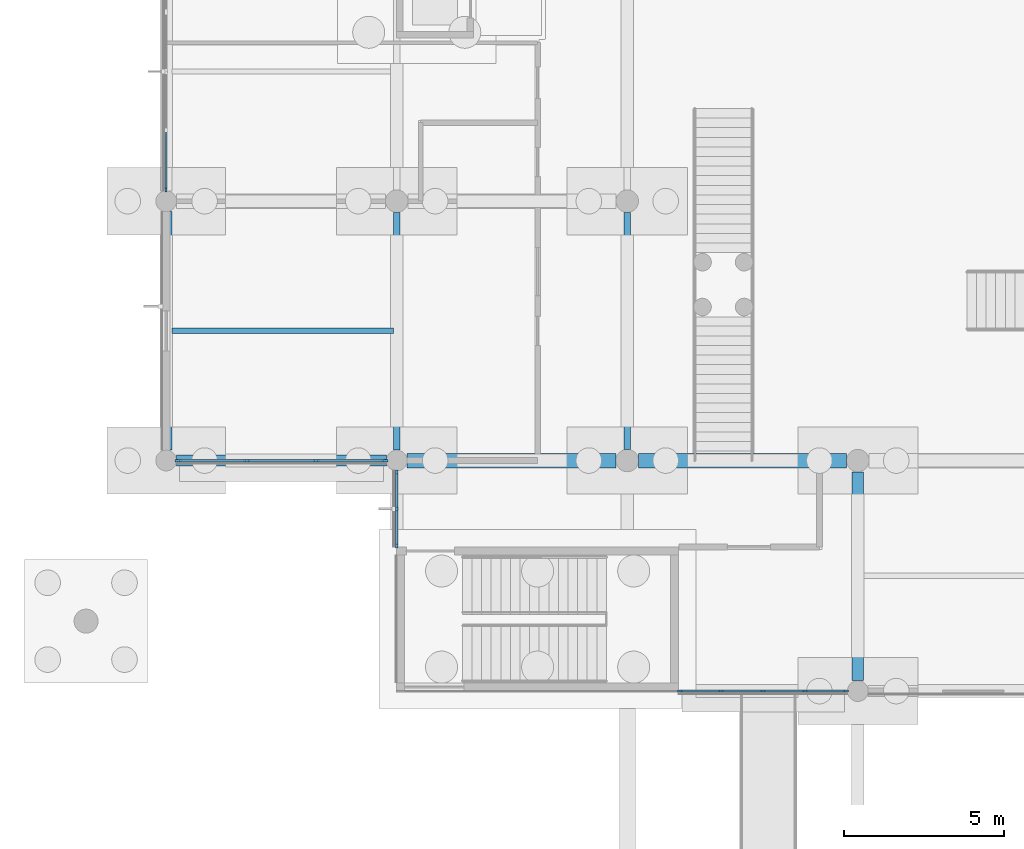
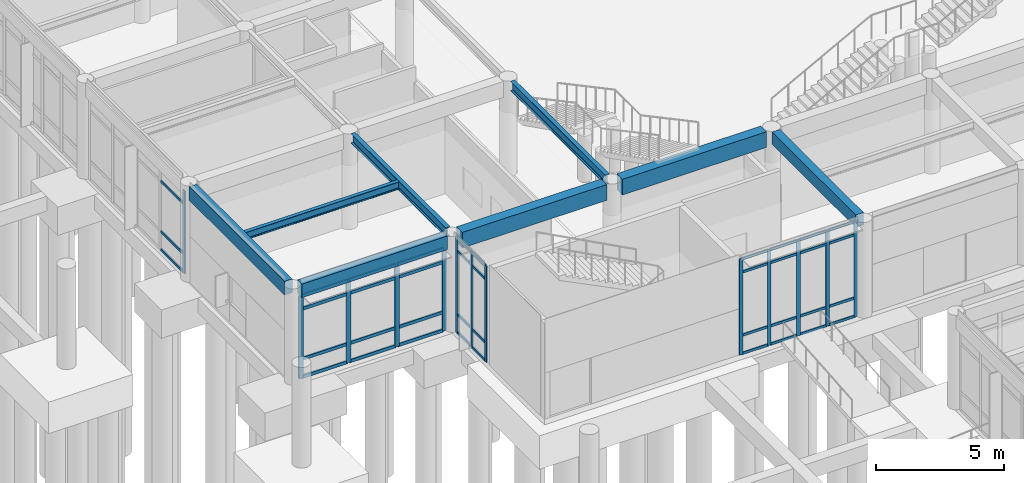
# One storey, part 14 of 103: 52 members, 8 beams, 4 elements without a shape of their own.
"""IFC4 building model written with IfcOpenShell, lengths in metres."""

import ifcopenshell
import ifcopenshell.guid

model = None  # the IFC model being written
_history = None  # IfcOwnerHistory: only IFC2X3 demands one
_inside = {}  # id of a spatial element -> (the spatial element, [elements in it])
_under = {}  # id of a project, library or spatial element -> (it, [spatial elements below it])
_declared = {}  # id of a project -> (the project, [libraries it declares])
_typed = {}  # id of a type object -> (the type object, [elements of that type])
_made_of = {}  # id of a material, layer set ... -> (it, [elements and type objects made of it])


def new_model(schema):
    """Start an empty IFC model of exactly this schema.

    Asked for "IFC4X3", IfcOpenShell would pick the latest addendum, in which some entities
    have other attributes; the version numbers below select the first issue.
    IFC2X3 requires an IfcOwnerHistory on every rooted entity: one is made here for all.
    """
    global model, _history
    if schema == "IFC4X3":
        model = ifcopenshell.file(schema_version=(4, 3, 0, 0))
    else:
        model = ifcopenshell.file(schema=schema)
    _inside.clear()
    _under.clear()
    _declared.clear()
    _typed.clear()
    _made_of.clear()
    _history = None
    if model.schema == "IFC2X3":
        org = make("IfcOrganization", Name="unknown")
        user = make(
            "IfcPersonAndOrganization",
            ThePerson=make("IfcPerson", FamilyName="unknown"),
            TheOrganization=org,
        )
        app = make(
            "IfcApplication",
            ApplicationDeveloper=org,
            Version="unknown",
            ApplicationFullName="unknown",
            ApplicationIdentifier="unknown",
        )
        _history = make(
            "IfcOwnerHistory",
            OwningUser=user,
            OwningApplication=app,
            ChangeAction="ADDED",
            CreationDate=0,
        )
    return model


def make(cls, **values):
    """One entity of the class cls with the attributes given. An attribute that is None is left unset."""
    return model.create_entity(
        cls, **{name: value for name, value in values.items() if value is not None}
    )


def rooted(cls, **values):
    """An entity with a GlobalId (a new one), such as an element, a storey or a relation."""
    return make(cls, GlobalId=ifcopenshell.guid.new(), OwnerHistory=_history, **values)


def si_unit(unit_type, name, prefix=None):
    """IfcSIUnit, for example si_unit("LENGTHUNIT", "METRE", prefix="MILLI")."""
    return make("IfcSIUnit", UnitType=unit_type, Prefix=prefix, Name=name)


def assignment(units):
    """IfcUnitAssignment: the units of a project."""
    return None if units is None else make("IfcUnitAssignment", Units=units)


def point(xyz):
    """IfcCartesianPoint."""
    return None if xyz is None else make("IfcCartesianPoint", Coordinates=xyz)


def direction(xyz):
    """IfcDirection."""
    return None if xyz is None else make("IfcDirection", DirectionRatios=xyz)


def frame(location, z_axis=None, x_axis=None):
    """IfcAxis2Placement3D, a coordinate frame: its origin and axes. An axis left out is left unset."""
    return make(
        "IfcAxis2Placement3D",
        Location=point(location),
        Axis=direction(z_axis),
        RefDirection=direction(x_axis),
    )


def frame_2d(location, x_axis=None):
    """IfcAxis2Placement2D, a coordinate frame in the plane: its origin and x axis."""
    return make(
        "IfcAxis2Placement2D", Location=point(location), RefDirection=direction(x_axis)
    )


def origin():
    """The frame at (0, 0, 0) with its axes left unset."""
    return frame((0.0, 0.0, 0.0))


def origin_2d():
    """The frame at (0, 0) in the plane with its x axis left unset."""
    return frame_2d((0.0, 0.0))


def place(relative_to, where):
    """IfcLocalPlacement: puts the frame where relative to a parent placement (None: the world)."""
    return make(
        "IfcLocalPlacement", PlacementRelTo=relative_to, RelativePlacement=where
    )


def context(
    kind, dimensions, precision=None, world=None, true_north=None, identifier=None
):
    """IfcGeometricRepresentationContext, for example the 3D "Model" context."""
    return make(
        "IfcGeometricRepresentationContext",
        ContextIdentifier=identifier,
        ContextType=kind,
        CoordinateSpaceDimension=dimensions,
        Precision=precision,
        WorldCoordinateSystem=world,
        TrueNorth=true_north,
    )


def subcontext(parent, identifier, kind, view, scale=None):
    """IfcGeometricRepresentationSubContext, for example "Body" below "Model"."""
    return make(
        "IfcGeometricRepresentationSubContext",
        ContextIdentifier=identifier,
        ContextType=kind,
        ParentContext=parent,
        TargetScale=scale,
        TargetView=view,
    )


def project(units=None, contexts=None):
    """IfcProject with its units and contexts."""
    return rooted(
        "IfcProject",
        Name="project",
        RepresentationContexts=contexts,
        UnitsInContext=assignment(units),
    )


def spatial(cls, under=None, at=None, **own):
    """A site, building, storey or space (cls), placed at a placement, below another one or the project."""
    s = rooted(cls, ObjectPlacement=at, **own)
    if under is not None:
        _under.setdefault(under.id(), (under, []))[1].append(s)
    return s


def profile(cls, at=None, kind="AREA", **sizes):
    """A parametric profile (cls). Its sizes go by their IFC names, for example OverallWidth=200.0."""
    return make(cls, ProfileType=kind, Position=at, **sizes)


def rectangle(**sizes):
    """IfcRectangleProfileDef."""
    return profile("IfcRectangleProfileDef", **sizes)


def i_section(**sizes):
    """IfcIShapeProfileDef."""
    return profile("IfcIShapeProfileDef", **sizes)


def extrude(swept, where, along, depth):
    """IfcExtrudedAreaSolid: the profile swept, set in the frame where, extruded along a direction by depth."""
    return make(
        "IfcExtrudedAreaSolid",
        SweptArea=swept,
        Position=where,
        ExtrudedDirection=direction(along),
        Depth=depth,
    )


def shape(context_of_items, identifier, shape_type, items):
    """IfcShapeRepresentation: the items that make up one representation, for example the "Body"."""
    return make(
        "IfcShapeRepresentation",
        ContextOfItems=context_of_items,
        RepresentationIdentifier=identifier,
        RepresentationType=shape_type,
        Items=items,
    )


def material(Name=None, Category=None):
    """IfcMaterial."""
    return make("IfcMaterial", Name=Name, Category=Category)


def layer(
    of_material, thickness, ventilated=None, Name=None, Category=None, Priority=None
):
    """IfcMaterialLayer: one layer of a wall or slab, of a material (None: an air gap)."""
    return make(
        "IfcMaterialLayer",
        Material=of_material,
        LayerThickness=thickness,
        IsVentilated=ventilated,
        Name=Name,
        Category=Category,
        Priority=Priority,
    )


def layer_set(layers, Name=None):
    """IfcMaterialLayerSet."""
    return make("IfcMaterialLayerSet", MaterialLayers=layers, LayerSetName=Name)


def material_profile(
    of_material, cross_section, Name=None, Category=None, Priority=None
):
    """IfcMaterialProfile: a cross section and its material."""
    return make(
        "IfcMaterialProfile",
        Name=Name,
        Material=of_material,
        Profile=cross_section,
        Priority=Priority,
        Category=Category,
    )


def profile_set(profiles, Name=None, composite=None):
    """IfcMaterialProfileSet."""
    return make(
        "IfcMaterialProfileSet",
        Name=Name,
        MaterialProfiles=profiles,
        CompositeProfile=composite,
    )


def made_of(thing, what):
    """Note that an element or type object is made of a material, layer set ...; save() writes the relation."""
    if what is not None:
        _made_of.setdefault(what.id(), (what, []))[1].append(thing)
    return thing


def type_object(cls, material=None, **own):
    """A type object (cls), such as IfcWallType, which elements share."""
    return made_of(rooted(cls, **own), material)


def element(
    cls,
    number,
    at=None,
    inside=None,
    cuts=None,
    type_object=None,
    material=None,
    context=None,
    identifier="Body",
    shape_type=None,
    held_by="IfcProductDefinitionShape",
    body=None,
    shapes=None,
    **own,
):
    """One element of the class cls, such as IfcWall. Its Tag is "e" and its number.

    at: its placement. inside: the storey or other place that contains it. cuts: it is an
    opening in that element (IfcRelVoidsElement). A single representation is given by context,
    identifier, shape_type and body (its items); several are given by shapes. held_by: the class
    of the entity that holds the representations. save() writes the other relations.
    """
    e = rooted(cls, Tag="e%d" % number, ObjectPlacement=at, **own)
    if body is not None:
        shapes = [shape(context, identifier, shape_type, body)]
    if shapes is not None:
        e.Representation = make(held_by, Representations=shapes)
    if inside is not None:
        _inside.setdefault(inside.id(), (inside, []))[1].append(e)
    if cuts is not None:
        rooted(
            "IfcRelVoidsElement", RelatingBuildingElement=cuts, RelatedOpeningElement=e
        )
    if type_object is not None:
        _typed.setdefault(type_object.id(), (type_object, []))[1].append(e)
    return made_of(e, material)


def aggregate(whole, parts):
    """IfcRelAggregates: a whole, such as a stair, and the parts it consists of."""
    return rooted("IfcRelAggregates", RelatingObject=whole, RelatedObjects=parts)


def save(model, path):
    """Write the relations noted so far, then the file.

    IfcRelAggregates (storeys below a building ...), IfcRelContainedInSpatialStructure (elements
    in a storey), IfcRelDefinesByType, IfcRelAssociatesMaterial and IfcRelDeclares: one each for
    every whole, place, type object, material and project.
    """
    for whole, parts in _under.values():
        aggregate(whole, parts)
    for where, things in _inside.values():
        rooted(
            "IfcRelContainedInSpatialStructure",
            RelatedElements=things,
            RelatingStructure=where,
        )
    for kind, things in _typed.values():
        rooted("IfcRelDefinesByType", RelatedObjects=things, RelatingType=kind)
    for what, things in _made_of.values():
        rooted("IfcRelAssociatesMaterial", RelatedObjects=things, RelatingMaterial=what)
    for by, libraries in _declared.values():
        rooted("IfcRelDeclares", RelatingContext=by, RelatedDefinitions=libraries)
    model.write(path)


model = new_model("IFC4")

# Units and contexts
model_context = context("Model", 3, precision=1e-05, world=origin(), true_north=direction((0.0, 1.0)))
body_context = subcontext(model_context, "Body", "Model", "MODEL_VIEW")
ifc_project = project(units=[si_unit("LENGTHUNIT", "METRE"), si_unit("AREAUNIT", "SQUARE_METRE"), si_unit("VOLUMEUNIT", "CUBIC_METRE"), si_unit("PLANEANGLEUNIT", "RADIAN"), si_unit("MASSUNIT", "GRAM", prefix="KILO")], contexts=[model_context])

# Site, building, storey
site_placement = place(None, origin())
site = spatial("IfcSite", under=ifc_project, at=site_placement, CompositionType="ELEMENT")
building_placement = place(site_placement, origin())
building = spatial("IfcBuilding", under=site, at=building_placement, Name="Namkhue Oval Health Centre", CompositionType="ELEMENT")
storey_placement = place(building_placement, origin())
storey = spatial("IfcBuildingStorey", under=building, at=storey_placement, Name="L00", CompositionType="ELEMENT", Elevation=0.0)

# Curtain wall, members
ifc_material_1 = material(Name="Anodised aluminium EN AW-6063 T6", Category="aluminium")
ifc_layer_1 = layer(ifc_material_1, 0.159912109375)
ifc_layer_set_1 = layer_set([ifc_layer_1], Name="Anodised aluminium EN AW-6063 T6")
curtain_wall_type_1 = type_object("IfcCurtainWallType", Name="UNITISED CURTAIN WALL M1200", PredefinedType="NOTDEFINED", material=ifc_layer_set_1)
curtain_wall_1_placement = place(storey_placement, origin())
curtain_wall_1 = element("IfcCurtainWall", 1, at=curtain_wall_1_placement, inside=storey, type_object=curtain_wall_type_1, Name="Volume V1 L00 Unitised Curtain Wall 1", PredefinedType="NOTDEFINED")
ifc_material_profile_1 = material_profile(ifc_material_1, rectangle(XDim=0.06494140625, YDim=0.159912109375, at=origin_2d()), Name="ALU 65x160")
ifc_profile_set_1 = profile_set([ifc_material_profile_1], Name="Anodised aluminium EN AW-6063 T6")
member_type_1 = type_object("IfcMemberType", Name="CURTAIN WALL MULLION 65X160", PredefinedType="MULLION", material=ifc_profile_set_1)
member_1_placement = place(storey_placement, frame((30.449462890625, 36.0, 0.0), z_axis=(0.0, 0.0, 1.0), x_axis=(0.0, 1.0, 0.0)))
member_1 = element("IfcMember", 2, at=member_1_placement, type_object=member_type_1, Name="CW-01 mullion 1", PredefinedType="MULLION", context=body_context, shape_type="SweptSolid", body=[
    extrude(rectangle(XDim=0.06494140625, YDim=0.159912109375, at=origin_2d()), origin(), (0.0, 0.0, 1.0), 4.56494140625),
])
member_2_placement = place(storey_placement, frame((31.72900390625, 36.0, 0.0), z_axis=(0.0, 0.0, 1.0), x_axis=(0.0, 1.0, 0.0)))
member_2 = element("IfcMember", 3, at=member_2_placement, type_object=member_type_1, Name="CW-01 mullion 2", PredefinedType="MULLION", context=body_context, shape_type="SweptSolid", body=[
    extrude(rectangle(XDim=0.06494140625, YDim=0.159912109375, at=origin_2d()), origin(), (0.0, 0.0, 1.0), 4.56494140625),
])
member_3_placement = place(storey_placement, frame((33.041015625, 36.0, 0.0), z_axis=(0.0, 0.0, 1.0), x_axis=(0.0, 1.0, 0.0)))
member_3 = element("IfcMember", 4, at=member_3_placement, type_object=member_type_1, Name="CW-01 mullion 3", PredefinedType="MULLION", context=body_context, shape_type="SweptSolid", body=[
    extrude(rectangle(XDim=0.06494140625, YDim=0.159912109375, at=origin_2d()), origin(), (0.0, 0.0, 1.0), 4.56494140625),
])
member_4_placement = place(storey_placement, frame((34.35302734375, 36.0, 0.0), z_axis=(0.0, 0.0, 1.0), x_axis=(0.0, 1.0, 0.0)))
member_4 = element("IfcMember", 5, at=member_4_placement, type_object=member_type_1, Name="CW-01 mullion 4", PredefinedType="MULLION", context=body_context, shape_type="SweptSolid", body=[
    extrude(rectangle(XDim=0.06494140625, YDim=0.159912109375, at=origin_2d()), origin(), (0.0, 0.0, 1.0), 4.56494140625),
])
member_5_placement = place(storey_placement, frame((35.632568359375, 36.0, 0.0), z_axis=(0.0, 0.0, 1.0), x_axis=(0.0, 1.0, 0.0)))
member_5 = element("IfcMember", 6, at=member_5_placement, type_object=member_type_1, Name="CW-01 mullion 5", PredefinedType="MULLION", context=body_context, shape_type="SweptSolid", body=[
    extrude(rectangle(XDim=0.06494140625, YDim=0.159912109375, at=origin_2d()), origin(), (0.0, 0.0, 1.0), 4.56494140625),
])

# Curtain wall, member
ifc_layer_2 = layer(ifc_material_1, 0.159912109375)
ifc_layer_set_2 = layer_set([ifc_layer_2], Name="Anodised aluminium EN AW-6063 T6")
curtain_wall_type_2 = type_object("IfcCurtainWallType", Name="UNITISED CURTAIN WALL M1800", PredefinedType="NOTDEFINED", material=ifc_layer_set_2)
curtain_wall_2_placement = place(storey_placement, origin())
curtain_wall_2 = element("IfcCurtainWall", 7, at=curtain_wall_2_placement, inside=storey, type_object=curtain_wall_type_2, Name="Volume V1 L00 Unitised Curtain Wall 17", PredefinedType="NOTDEFINED")
member_6_placement = place(storey_placement, frame((14.39990234375, 51.66748046875, 0.0), z_axis=(0.0, 0.0, 1.0), x_axis=(1.0, 0.0, 0.0)))
member_6 = element("IfcMember", 8, at=member_6_placement, type_object=member_type_1, Name="CW-05 mullion 5", PredefinedType="MULLION", context=body_context, shape_type="SweptSolid", body=[
    extrude(rectangle(XDim=0.06494140625, YDim=0.159912109375, at=origin_2d()), origin(), (0.0, 0.0, 1.0), 3.93994140625),
])

# Curtain wall, members
curtain_wall_3_placement = place(storey_placement, origin())
curtain_wall_3 = element("IfcCurtainWall", 9, at=curtain_wall_3_placement, inside=storey, type_object=curtain_wall_type_1, Name="Volume V1 L00 Unitised Curtain Wall 19", PredefinedType="NOTDEFINED")
member_7_placement = place(storey_placement, frame((21.60009765625, 42.83251953125, 0.0), z_axis=(0.0, 0.0, 1.0), x_axis=(1.0, 0.0, 0.0)))
member_7 = element("IfcMember", 10, at=member_7_placement, type_object=member_type_1, Name="CW-01 mullion 1", PredefinedType="MULLION", context=body_context, shape_type="SweptSolid", body=[
    extrude(rectangle(XDim=0.06494140625, YDim=0.159912109375, at=origin_2d()), origin(), (0.0, 0.0, 1.0), 4.56494140625),
])
member_8_placement = place(storey_placement, frame((21.60009765625, 41.69091796875, 0.0), z_axis=(0.0, 0.0, 1.0), x_axis=(1.0, 0.0, 0.0)))
member_8 = element("IfcMember", 11, at=member_8_placement, type_object=member_type_1, Name="CW-01 mullion 2", PredefinedType="MULLION", context=body_context, shape_type="SweptSolid", body=[
    extrude(rectangle(XDim=0.06494140625, YDim=0.159912109375, at=origin_2d()), origin(), (0.0, 0.0, 1.0), 4.56494140625),
])
member_9_placement = place(storey_placement, frame((21.60009765625, 40.549560546875, 0.0), z_axis=(0.0, 0.0, 1.0), x_axis=(1.0, 0.0, 0.0)))
member_9 = element("IfcMember", 12, at=member_9_placement, type_object=member_type_1, Name="CW-01 mullion 3", PredefinedType="MULLION", context=body_context, shape_type="SweptSolid", body=[
    extrude(rectangle(XDim=0.06494140625, YDim=0.159912109375, at=origin_2d()), origin(), (0.0, 0.0, 1.0), 4.56494140625),
])

ifc_layer_3 = layer(ifc_material_1, 0.159912109375)
ifc_layer_set_3 = layer_set([ifc_layer_3], Name="Anodised aluminium EN AW-6063 T6")
curtain_wall_type_3 = type_object("IfcCurtainWallType", Name="UNITISED CURTAIN WALL M2000", PredefinedType="NOTDEFINED", material=ifc_layer_set_3)
curtain_wall_4_placement = place(storey_placement, origin())
curtain_wall_4 = element("IfcCurtainWall", 13, at=curtain_wall_4_placement, inside=storey, type_object=curtain_wall_type_3, Name="Volume V1 L00 Unitised Curtain Wall 18", PredefinedType="NOTDEFINED")
ifc_material_profile_2 = material_profile(ifc_material_1, rectangle(XDim=0.074951171875, YDim=0.199951171875, at=origin_2d()), Name="ALU 75x200")
ifc_profile_set_2 = profile_set([ifc_material_profile_2], Name="Anodised aluminium EN AW-6063 T6")
member_type_2 = type_object("IfcMemberType", Name="CURTAIN WALL MULLION 75X200", PredefinedType="MULLION", material=ifc_profile_set_2)
member_10_placement = place(storey_placement, frame((14.7724609375, 43.199951171875, 0.0), z_axis=(0.0, 0.0, 1.0), x_axis=(0.0, 1.0, 0.0)))
member_10 = element("IfcMember", 14, at=member_10_placement, type_object=member_type_2, Name="CW-06 mullion 1", PredefinedType="MULLION", context=body_context, shape_type="SweptSolid", body=[
    extrude(rectangle(XDim=0.074951171875, YDim=0.199951171875, at=origin_2d()), origin(), (0.0, 0.0, 1.0), 3.93994140625),
])
member_11_placement = place(storey_placement, frame((16.91162109375, 43.199951171875, 0.0), z_axis=(0.0, 0.0, 1.0), x_axis=(0.0, 1.0, 0.0)))
member_11 = element("IfcMember", 15, at=member_11_placement, type_object=member_type_2, Name="CW-06 mullion 2", PredefinedType="MULLION", context=body_context, shape_type="SweptSolid", body=[
    extrude(rectangle(XDim=0.074951171875, YDim=0.199951171875, at=origin_2d()), origin(), (0.0, 0.0, 1.0), 3.93994140625),
])
member_12_placement = place(storey_placement, frame((19.08837890625, 43.199951171875, 0.0), z_axis=(0.0, 0.0, 1.0), x_axis=(0.0, 1.0, 0.0)))
member_12 = element("IfcMember", 16, at=member_12_placement, type_object=member_type_2, Name="CW-06 mullion 3", PredefinedType="MULLION", context=body_context, shape_type="SweptSolid", body=[
    extrude(rectangle(XDim=0.074951171875, YDim=0.199951171875, at=origin_2d()), origin(), (0.0, 0.0, 1.0), 3.93994140625),
])
member_13_placement = place(storey_placement, frame((21.2275390625, 43.199951171875, 0.0), z_axis=(0.0, 0.0, 1.0), x_axis=(0.0, 1.0, 0.0)))
member_13 = element("IfcMember", 17, at=member_13_placement, type_object=member_type_2, Name="CW-06 mullion 4", PredefinedType="MULLION", context=body_context, shape_type="SweptSolid", body=[
    extrude(rectangle(XDim=0.074951171875, YDim=0.199951171875, at=origin_2d()), origin(), (0.0, 0.0, 1.0), 3.93994140625),
])

# Member
ifc_material_profile_3 = material_profile(ifc_material_1, rectangle(XDim=0.06494140625, YDim=0.1201171875, at=origin_2d()), Name="ALU 65x120")
ifc_profile_set_3 = profile_set([ifc_material_profile_3], Name="Anodised aluminium EN AW-6063 T6")
member_type_3 = type_object("IfcMemberType", Name="CURTAIN WALL TRANSOM 65X120", PredefinedType="USERDEFINED", material=ifc_profile_set_3)
member_14_placement = place(storey_placement, frame((30.48193359375, 36.0, 0.032470703125), z_axis=(1.0, 0.0, 0.0), x_axis=(0.0, 1.0, 0.0)))
member_14 = element("IfcMember", 18, at=member_14_placement, type_object=member_type_3, Name="CW-01 transom 1.1", ObjectType="TRANSOM", PredefinedType="USERDEFINED", context=body_context, shape_type="SweptSolid", body=[
    extrude(rectangle(XDim=0.06494140625, YDim=0.1201171875, at=origin_2d()), origin(), (0.0, 0.0, 1.0), 1.214599609375),
])

member_15_placement = place(storey_placement, frame((30.48193359375, 36.0, 0.89990234375), z_axis=(1.0, 0.0, 0.0), x_axis=(0.0, 1.0, 0.0)))
member_15 = element("IfcMember", 19, at=member_15_placement, type_object=member_type_3, Name="CW-01 transom 1.2", ObjectType="TRANSOM", PredefinedType="USERDEFINED", context=body_context, shape_type="SweptSolid", body=[
    extrude(rectangle(XDim=0.06494140625, YDim=0.1201171875, at=origin_2d()), origin(), (0.0, 0.0, 1.0), 1.214599609375),
])

member_16_placement = place(storey_placement, frame((30.48193359375, 36.0, 3.9150390625), z_axis=(1.0, 0.0, 0.0), x_axis=(0.0, 1.0, 0.0)))
member_16 = element("IfcMember", 20, at=member_16_placement, type_object=member_type_3, Name="CW-01 transom 1.3", ObjectType="TRANSOM", PredefinedType="USERDEFINED", context=body_context, shape_type="SweptSolid", body=[
    extrude(rectangle(XDim=0.06494140625, YDim=0.1201171875, at=origin_2d()), origin(), (0.0, 0.0, 1.0), 1.214599609375),
])

member_17_placement = place(storey_placement, frame((30.48193359375, 36.0, 4.532470703125), z_axis=(1.0, 0.0, 0.0), x_axis=(0.0, 1.0, 0.0)))
member_17 = element("IfcMember", 21, at=member_17_placement, type_object=member_type_3, Name="CW-01 transom 1.4", ObjectType="TRANSOM", PredefinedType="USERDEFINED", context=body_context, shape_type="SweptSolid", body=[
    extrude(rectangle(XDim=0.06494140625, YDim=0.1201171875, at=origin_2d()), origin(), (0.0, 0.0, 1.0), 1.214599609375),
])

member_18_placement = place(storey_placement, frame((31.761474609375, 36.0, 0.032470703125), z_axis=(1.0, 0.0, 0.0), x_axis=(0.0, 1.0, 0.0)))
member_18 = element("IfcMember", 22, at=member_18_placement, type_object=member_type_3, Name="CW-01 transom 2.1", ObjectType="TRANSOM", PredefinedType="USERDEFINED", context=body_context, shape_type="SweptSolid", body=[
    extrude(rectangle(XDim=0.06494140625, YDim=0.1201171875, at=origin_2d()), origin(), (0.0, 0.0, 1.0), 1.2470703125),
])

member_19_placement = place(storey_placement, frame((31.761474609375, 36.0, 0.89990234375), z_axis=(1.0, 0.0, 0.0), x_axis=(0.0, 1.0, 0.0)))
member_19 = element("IfcMember", 23, at=member_19_placement, type_object=member_type_3, Name="CW-01 transom 2.2", ObjectType="TRANSOM", PredefinedType="USERDEFINED", context=body_context, shape_type="SweptSolid", body=[
    extrude(rectangle(XDim=0.06494140625, YDim=0.1201171875, at=origin_2d()), origin(), (0.0, 0.0, 1.0), 1.2470703125),
])

member_20_placement = place(storey_placement, frame((31.761474609375, 36.0, 3.9150390625), z_axis=(1.0, 0.0, 0.0), x_axis=(0.0, 1.0, 0.0)))
member_20 = element("IfcMember", 24, at=member_20_placement, type_object=member_type_3, Name="CW-01 transom 2.3", ObjectType="TRANSOM", PredefinedType="USERDEFINED", context=body_context, shape_type="SweptSolid", body=[
    extrude(rectangle(XDim=0.06494140625, YDim=0.1201171875, at=origin_2d()), origin(), (0.0, 0.0, 1.0), 1.2470703125),
])

member_21_placement = place(storey_placement, frame((31.761474609375, 36.0, 4.532470703125), z_axis=(1.0, 0.0, 0.0), x_axis=(0.0, 1.0, 0.0)))
member_21 = element("IfcMember", 25, at=member_21_placement, type_object=member_type_3, Name="CW-01 transom 2.4", ObjectType="TRANSOM", PredefinedType="USERDEFINED", context=body_context, shape_type="SweptSolid", body=[
    extrude(rectangle(XDim=0.06494140625, YDim=0.1201171875, at=origin_2d()), origin(), (0.0, 0.0, 1.0), 1.2470703125),
])

member_22_placement = place(storey_placement, frame((33.073486328125, 36.0, 0.032470703125), z_axis=(1.0, 0.0, 0.0), x_axis=(0.0, 1.0, 0.0)))
member_22 = element("IfcMember", 26, at=member_22_placement, type_object=member_type_3, Name="CW-01 transom 3.1", ObjectType="TRANSOM", PredefinedType="USERDEFINED", context=body_context, shape_type="SweptSolid", body=[
    extrude(rectangle(XDim=0.06494140625, YDim=0.1201171875, at=origin_2d()), origin(), (0.0, 0.0, 1.0), 1.2470703125),
])

member_23_placement = place(storey_placement, frame((33.073486328125, 36.0, 0.89990234375), z_axis=(1.0, 0.0, 0.0), x_axis=(0.0, 1.0, 0.0)))
member_23 = element("IfcMember", 27, at=member_23_placement, type_object=member_type_3, Name="CW-01 transom 3.2", ObjectType="TRANSOM", PredefinedType="USERDEFINED", context=body_context, shape_type="SweptSolid", body=[
    extrude(rectangle(XDim=0.06494140625, YDim=0.1201171875, at=origin_2d()), origin(), (0.0, 0.0, 1.0), 1.2470703125),
])

member_24_placement = place(storey_placement, frame((33.073486328125, 36.0, 3.9150390625), z_axis=(1.0, 0.0, 0.0), x_axis=(0.0, 1.0, 0.0)))
member_24 = element("IfcMember", 28, at=member_24_placement, type_object=member_type_3, Name="CW-01 transom 3.3", ObjectType="TRANSOM", PredefinedType="USERDEFINED", context=body_context, shape_type="SweptSolid", body=[
    extrude(rectangle(XDim=0.06494140625, YDim=0.1201171875, at=origin_2d()), origin(), (0.0, 0.0, 1.0), 1.2470703125),
])

member_25_placement = place(storey_placement, frame((33.073486328125, 36.0, 4.532470703125), z_axis=(1.0, 0.0, 0.0), x_axis=(0.0, 1.0, 0.0)))
member_25 = element("IfcMember", 29, at=member_25_placement, type_object=member_type_3, Name="CW-01 transom 3.4", ObjectType="TRANSOM", PredefinedType="USERDEFINED", context=body_context, shape_type="SweptSolid", body=[
    extrude(rectangle(XDim=0.06494140625, YDim=0.1201171875, at=origin_2d()), origin(), (0.0, 0.0, 1.0), 1.2470703125),
])

member_26_placement = place(storey_placement, frame((34.385498046875, 36.0, 0.032470703125), z_axis=(1.0, 0.0, 0.0), x_axis=(0.0, 1.0, 0.0)))
member_26 = element("IfcMember", 30, at=member_26_placement, type_object=member_type_3, Name="CW-01 transom 4.1", ObjectType="TRANSOM", PredefinedType="USERDEFINED", context=body_context, shape_type="SweptSolid", body=[
    extrude(rectangle(XDim=0.06494140625, YDim=0.1201171875, at=origin_2d()), origin(), (0.0, 0.0, 1.0), 1.214599609375),
])

member_27_placement = place(storey_placement, frame((34.385498046875, 36.0, 0.89990234375), z_axis=(1.0, 0.0, 0.0), x_axis=(0.0, 1.0, 0.0)))
member_27 = element("IfcMember", 31, at=member_27_placement, type_object=member_type_3, Name="CW-01 transom 4.2", ObjectType="TRANSOM", PredefinedType="USERDEFINED", context=body_context, shape_type="SweptSolid", body=[
    extrude(rectangle(XDim=0.06494140625, YDim=0.1201171875, at=origin_2d()), origin(), (0.0, 0.0, 1.0), 1.214599609375),
])

member_28_placement = place(storey_placement, frame((34.385498046875, 36.0, 3.9150390625), z_axis=(1.0, 0.0, 0.0), x_axis=(0.0, 1.0, 0.0)))
member_28 = element("IfcMember", 32, at=member_28_placement, type_object=member_type_3, Name="CW-01 transom 4.3", ObjectType="TRANSOM", PredefinedType="USERDEFINED", context=body_context, shape_type="SweptSolid", body=[
    extrude(rectangle(XDim=0.06494140625, YDim=0.1201171875, at=origin_2d()), origin(), (0.0, 0.0, 1.0), 1.214599609375),
])

member_29_placement = place(storey_placement, frame((34.385498046875, 36.0, 4.532470703125), z_axis=(1.0, 0.0, 0.0), x_axis=(0.0, 1.0, 0.0)))
member_29 = element("IfcMember", 33, at=member_29_placement, type_object=member_type_3, Name="CW-01 transom 4.4", ObjectType="TRANSOM", PredefinedType="USERDEFINED", context=body_context, shape_type="SweptSolid", body=[
    extrude(rectangle(XDim=0.06494140625, YDim=0.1201171875, at=origin_2d()), origin(), (0.0, 0.0, 1.0), 1.214599609375),
])

aggregate(curtain_wall_1, [member_1, member_2, member_3, member_4, member_5, member_14, member_15, member_16, member_17, member_18, member_19, member_20, member_21, member_22, member_23, member_24, member_25, member_26, member_27, member_28, member_29])

member_30_placement = place(storey_placement, frame((14.39990234375, 53.4599609375, 0.032470703125), z_axis=(0.0, -1.0, 0.0), x_axis=(1.0, 0.0, 0.0)))
member_30 = element("IfcMember", 34, at=member_30_placement, type_object=member_type_3, Name="CW-05 transom 4.1", ObjectType="TRANSOM", PredefinedType="USERDEFINED", context=body_context, shape_type="SweptSolid", body=[
    extrude(rectangle(XDim=0.06494140625, YDim=0.1201171875, at=origin_2d()), origin(), (0.0, 0.0, 1.0), 1.760009765625),
])

member_31_placement = place(storey_placement, frame((14.39990234375, 53.4599609375, 0.89990234375), z_axis=(0.0, -1.0, 0.0), x_axis=(1.0, 0.0, 0.0)))
member_31 = element("IfcMember", 35, at=member_31_placement, type_object=member_type_3, Name="CW-05 transom 4.2", ObjectType="TRANSOM", PredefinedType="USERDEFINED", context=body_context, shape_type="SweptSolid", body=[
    extrude(rectangle(XDim=0.06494140625, YDim=0.1201171875, at=origin_2d()), origin(), (0.0, 0.0, 1.0), 1.760009765625),
])

member_32_placement = place(storey_placement, frame((14.39990234375, 53.4599609375, 3.2900390625), z_axis=(0.0, -1.0, 0.0), x_axis=(1.0, 0.0, 0.0)))
member_32 = element("IfcMember", 36, at=member_32_placement, type_object=member_type_3, Name="CW-05 transom 4.3", ObjectType="TRANSOM", PredefinedType="USERDEFINED", context=body_context, shape_type="SweptSolid", body=[
    extrude(rectangle(XDim=0.06494140625, YDim=0.1201171875, at=origin_2d()), origin(), (0.0, 0.0, 1.0), 1.760009765625),
])

aggregate(curtain_wall_2, [member_6, member_30, member_31, member_32])

member_33_placement = place(storey_placement, frame((21.60009765625, 42.800048828125, 0.032470703125), z_axis=(0.0, -1.0, 0.0), x_axis=(1.0, 0.0, 0.0)))
member_33 = element("IfcMember", 37, at=member_33_placement, type_object=member_type_3, Name="CW-01 transom 1.1", ObjectType="TRANSOM", PredefinedType="USERDEFINED", context=body_context, shape_type="SweptSolid", body=[
    extrude(rectangle(XDim=0.06494140625, YDim=0.1201171875, at=origin_2d()), origin(), (0.0, 0.0, 1.0), 1.07666015625),
])

member_34_placement = place(storey_placement, frame((21.60009765625, 42.800048828125, 0.89990234375), z_axis=(0.0, -1.0, 0.0), x_axis=(1.0, 0.0, 0.0)))
member_34 = element("IfcMember", 38, at=member_34_placement, type_object=member_type_3, Name="CW-01 transom 1.2", ObjectType="TRANSOM", PredefinedType="USERDEFINED", context=body_context, shape_type="SweptSolid", body=[
    extrude(rectangle(XDim=0.06494140625, YDim=0.1201171875, at=origin_2d()), origin(), (0.0, 0.0, 1.0), 1.07666015625),
])

member_35_placement = place(storey_placement, frame((21.60009765625, 42.800048828125, 3.9150390625), z_axis=(0.0, -1.0, 0.0), x_axis=(1.0, 0.0, 0.0)))
member_35 = element("IfcMember", 39, at=member_35_placement, type_object=member_type_3, Name="CW-01 transom 1.3", ObjectType="TRANSOM", PredefinedType="USERDEFINED", context=body_context, shape_type="SweptSolid", body=[
    extrude(rectangle(XDim=0.06494140625, YDim=0.1201171875, at=origin_2d()), origin(), (0.0, 0.0, 1.0), 1.07666015625),
])

member_36_placement = place(storey_placement, frame((21.60009765625, 42.800048828125, 4.532470703125), z_axis=(0.0, -1.0, 0.0), x_axis=(1.0, 0.0, 0.0)))
member_36 = element("IfcMember", 40, at=member_36_placement, type_object=member_type_3, Name="CW-01 transom 1.4", ObjectType="TRANSOM", PredefinedType="USERDEFINED", context=body_context, shape_type="SweptSolid", body=[
    extrude(rectangle(XDim=0.06494140625, YDim=0.1201171875, at=origin_2d()), origin(), (0.0, 0.0, 1.0), 1.07666015625),
])

member_37_placement = place(storey_placement, frame((21.60009765625, 41.658447265625, 0.032470703125), z_axis=(0.0, -1.0, 0.0), x_axis=(1.0, 0.0, 0.0)))
member_37 = element("IfcMember", 41, at=member_37_placement, type_object=member_type_3, Name="CW-01 transom 2.1", ObjectType="TRANSOM", PredefinedType="USERDEFINED", context=body_context, shape_type="SweptSolid", body=[
    extrude(rectangle(XDim=0.06494140625, YDim=0.1201171875, at=origin_2d()), origin(), (0.0, 0.0, 1.0), 1.076416015625),
])

member_38_placement = place(storey_placement, frame((21.60009765625, 41.658447265625, 0.89990234375), z_axis=(0.0, -1.0, 0.0), x_axis=(1.0, 0.0, 0.0)))
member_38 = element("IfcMember", 42, at=member_38_placement, type_object=member_type_3, Name="CW-01 transom 2.2", ObjectType="TRANSOM", PredefinedType="USERDEFINED", context=body_context, shape_type="SweptSolid", body=[
    extrude(rectangle(XDim=0.06494140625, YDim=0.1201171875, at=origin_2d()), origin(), (0.0, 0.0, 1.0), 1.076416015625),
])

member_39_placement = place(storey_placement, frame((21.60009765625, 41.658447265625, 3.9150390625), z_axis=(0.0, -1.0, 0.0), x_axis=(1.0, 0.0, 0.0)))
member_39 = element("IfcMember", 43, at=member_39_placement, type_object=member_type_3, Name="CW-01 transom 2.3", ObjectType="TRANSOM", PredefinedType="USERDEFINED", context=body_context, shape_type="SweptSolid", body=[
    extrude(rectangle(XDim=0.06494140625, YDim=0.1201171875, at=origin_2d()), origin(), (0.0, 0.0, 1.0), 1.076416015625),
])

member_40_placement = place(storey_placement, frame((21.60009765625, 41.658447265625, 4.532470703125), z_axis=(0.0, -1.0, 0.0), x_axis=(1.0, 0.0, 0.0)))
member_40 = element("IfcMember", 44, at=member_40_placement, type_object=member_type_3, Name="CW-01 transom 2.4", ObjectType="TRANSOM", PredefinedType="USERDEFINED", context=body_context, shape_type="SweptSolid", body=[
    extrude(rectangle(XDim=0.06494140625, YDim=0.1201171875, at=origin_2d()), origin(), (0.0, 0.0, 1.0), 1.076416015625),
])

aggregate(curtain_wall_3, [member_7, member_8, member_9, member_33, member_34, member_35, member_36, member_37, member_38, member_39, member_40])

ifc_material_profile_4 = material_profile(ifc_material_1, rectangle(XDim=0.074951171875, YDim=0.14990234375, at=origin_2d()), Name="ALU 75x150")
ifc_profile_set_4 = profile_set([ifc_material_profile_4], Name="Anodised aluminium EN AW-6063 T6")
member_type_4 = type_object("IfcMemberType", Name="CURTAIN WALL TRANSOM 75X150", PredefinedType="USERDEFINED", material=ifc_profile_set_4)
member_41_placement = place(storey_placement, frame((14.81005859375, 43.199951171875, 0.03759765625), z_axis=(1.0, 0.0, 0.0), x_axis=(0.0, 1.0, 0.0)))
member_41 = element("IfcMember", 45, at=member_41_placement, type_object=member_type_4, Name="CW-06 transom 1.1", ObjectType="TRANSOM", PredefinedType="USERDEFINED", context=body_context, shape_type="SweptSolid", body=[
    extrude(rectangle(XDim=0.074951171875, YDim=0.14990234375, at=origin_2d()), origin(), (0.0, 0.0, 1.0), 2.064208984375),
])

member_42_placement = place(storey_placement, frame((14.81005859375, 43.199951171875, 0.89990234375), z_axis=(1.0, 0.0, 0.0), x_axis=(0.0, 1.0, 0.0)))
member_42 = element("IfcMember", 46, at=member_42_placement, type_object=member_type_4, Name="CW-06 transom 1.2", ObjectType="TRANSOM", PredefinedType="USERDEFINED", context=body_context, shape_type="SweptSolid", body=[
    extrude(rectangle(XDim=0.074951171875, YDim=0.14990234375, at=origin_2d()), origin(), (0.0, 0.0, 1.0), 2.064208984375),
])

member_43_placement = place(storey_placement, frame((14.81005859375, 43.199951171875, 3.2900390625), z_axis=(1.0, 0.0, 0.0), x_axis=(0.0, 1.0, 0.0)))
member_43 = element("IfcMember", 47, at=member_43_placement, type_object=member_type_4, Name="CW-06 transom 1.3", ObjectType="TRANSOM", PredefinedType="USERDEFINED", context=body_context, shape_type="SweptSolid", body=[
    extrude(rectangle(XDim=0.074951171875, YDim=0.14990234375, at=origin_2d()), origin(), (0.0, 0.0, 1.0), 2.064208984375),
])

member_44_placement = place(storey_placement, frame((14.81005859375, 43.199951171875, 3.902587890625), z_axis=(1.0, 0.0, 0.0), x_axis=(0.0, 1.0, 0.0)))
member_44 = element("IfcMember", 48, at=member_44_placement, type_object=member_type_4, Name="CW-06 transom 1.4", ObjectType="TRANSOM", PredefinedType="USERDEFINED", context=body_context, shape_type="SweptSolid", body=[
    extrude(rectangle(XDim=0.074951171875, YDim=0.14990234375, at=origin_2d()), origin(), (0.0, 0.0, 1.0), 2.064208984375),
])

member_45_placement = place(storey_placement, frame((16.94921875, 43.199951171875, 0.03759765625), z_axis=(1.0, 0.0, 0.0), x_axis=(0.0, 1.0, 0.0)))
member_45 = element("IfcMember", 49, at=member_45_placement, type_object=member_type_4, Name="CW-06 transom 2.1", ObjectType="TRANSOM", PredefinedType="USERDEFINED", context=body_context, shape_type="SweptSolid", body=[
    extrude(rectangle(XDim=0.074951171875, YDim=0.14990234375, at=origin_2d()), origin(), (0.0, 0.0, 1.0), 2.1015625),
])

member_46_placement = place(storey_placement, frame((16.94921875, 43.199951171875, 0.89990234375), z_axis=(1.0, 0.0, 0.0), x_axis=(0.0, 1.0, 0.0)))
member_46 = element("IfcMember", 50, at=member_46_placement, type_object=member_type_4, Name="CW-06 transom 2.2", ObjectType="TRANSOM", PredefinedType="USERDEFINED", context=body_context, shape_type="SweptSolid", body=[
    extrude(rectangle(XDim=0.074951171875, YDim=0.14990234375, at=origin_2d()), origin(), (0.0, 0.0, 1.0), 2.1015625),
])

member_47_placement = place(storey_placement, frame((16.94921875, 43.199951171875, 3.2900390625), z_axis=(1.0, 0.0, 0.0), x_axis=(0.0, 1.0, 0.0)))
member_47 = element("IfcMember", 51, at=member_47_placement, type_object=member_type_4, Name="CW-06 transom 2.3", ObjectType="TRANSOM", PredefinedType="USERDEFINED", context=body_context, shape_type="SweptSolid", body=[
    extrude(rectangle(XDim=0.074951171875, YDim=0.14990234375, at=origin_2d()), origin(), (0.0, 0.0, 1.0), 2.1015625),
])

member_48_placement = place(storey_placement, frame((16.94921875, 43.199951171875, 3.902587890625), z_axis=(1.0, 0.0, 0.0), x_axis=(0.0, 1.0, 0.0)))
member_48 = element("IfcMember", 52, at=member_48_placement, type_object=member_type_4, Name="CW-06 transom 2.4", ObjectType="TRANSOM", PredefinedType="USERDEFINED", context=body_context, shape_type="SweptSolid", body=[
    extrude(rectangle(XDim=0.074951171875, YDim=0.14990234375, at=origin_2d()), origin(), (0.0, 0.0, 1.0), 2.1015625),
])

member_49_placement = place(storey_placement, frame((19.125732421875, 43.199951171875, 0.03759765625), z_axis=(1.0, 0.0, 0.0), x_axis=(0.0, 1.0, 0.0)))
member_49 = element("IfcMember", 53, at=member_49_placement, type_object=member_type_4, Name="CW-06 transom 3.1", ObjectType="TRANSOM", PredefinedType="USERDEFINED", context=body_context, shape_type="SweptSolid", body=[
    extrude(rectangle(XDim=0.074951171875, YDim=0.14990234375, at=origin_2d()), origin(), (0.0, 0.0, 1.0), 2.064208984375),
])

member_50_placement = place(storey_placement, frame((19.125732421875, 43.199951171875, 0.89990234375), z_axis=(1.0, 0.0, 0.0), x_axis=(0.0, 1.0, 0.0)))
member_50 = element("IfcMember", 54, at=member_50_placement, type_object=member_type_4, Name="CW-06 transom 3.2", ObjectType="TRANSOM", PredefinedType="USERDEFINED", context=body_context, shape_type="SweptSolid", body=[
    extrude(rectangle(XDim=0.074951171875, YDim=0.14990234375, at=origin_2d()), origin(), (0.0, 0.0, 1.0), 2.064208984375),
])

member_51_placement = place(storey_placement, frame((19.125732421875, 43.199951171875, 3.2900390625), z_axis=(1.0, 0.0, 0.0), x_axis=(0.0, 1.0, 0.0)))
member_51 = element("IfcMember", 55, at=member_51_placement, type_object=member_type_4, Name="CW-06 transom 3.3", ObjectType="TRANSOM", PredefinedType="USERDEFINED", context=body_context, shape_type="SweptSolid", body=[
    extrude(rectangle(XDim=0.074951171875, YDim=0.14990234375, at=origin_2d()), origin(), (0.0, 0.0, 1.0), 2.064208984375),
])

member_52_placement = place(storey_placement, frame((19.125732421875, 43.199951171875, 3.902587890625), z_axis=(1.0, 0.0, 0.0), x_axis=(0.0, 1.0, 0.0)))
member_52 = element("IfcMember", 56, at=member_52_placement, type_object=member_type_4, Name="CW-06 transom 3.4", ObjectType="TRANSOM", PredefinedType="USERDEFINED", context=body_context, shape_type="SweptSolid", body=[
    extrude(rectangle(XDim=0.074951171875, YDim=0.14990234375, at=origin_2d()), origin(), (0.0, 0.0, 1.0), 2.064208984375),
])

aggregate(curtain_wall_4, [member_10, member_11, member_12, member_13, member_41, member_42, member_43, member_44, member_45, member_46, member_47, member_48, member_49, member_50, member_51, member_52])

# Beams
ifc_material_2 = material(Name="Reinforced concrete C30/37 (TCVN B35)", Category="concrete")
ifc_material_profile_5 = material_profile(ifc_material_2, rectangle(XDim=0.35009765625, YDim=0.60009765625, at=origin_2d()), Name="RC 350x600")
ifc_profile_set_5 = profile_set([ifc_material_profile_5], Name="Reinforced concrete C30/37 (TCVN B35)")
beam_type_1 = type_object("IfcBeamType", Name="FLOOR BEAM RC 350X600", PredefinedType="BEAM", material=ifc_profile_set_5)
beam_1_placement = place(storey_placement, frame((36.0, 36.324951171875, 4.264892578125), z_axis=(0.0, 1.0, 0.0), x_axis=(-1.0, 0.0, 0.0)))
element("IfcBeam", 57, at=beam_1_placement, inside=storey, type_object=beam_type_1, Name="Volume V1 L01 Beam 6/F-G", PredefinedType="BEAM", context=body_context, shape_type="SweptSolid", body=[
    extrude(rectangle(XDim=0.35009765625, YDim=0.60009765625, at=origin_2d()), origin(), (0.0, 0.0, 1.0), 6.525146484375),
])
ifc_material_3 = material(Name="Structural steel EN 10025-2 S355JR (TCVN 5575:2024)", Category="steel")
ifc_material_profile_6 = material_profile(ifc_material_3, i_section(OverallWidth=0.18994140625, OverallDepth=0.449951171875, WebThickness=0.009521484375, FlangeThickness=0.0146484375, FilletRadius=0.02099609375, at=origin_2d()), Name="IPE 450")
ifc_profile_set_6 = profile_set([ifc_material_profile_6], Name="Structural steel EN 10025-2 S355JR (TCVN 5575:2024)")
beam_type_2 = type_object("IfcBeamType", Name="FLOOR BEAM STEEL IPE 450", PredefinedType="BEAM", material=ifc_profile_set_6)
beam_2_placement = place(storey_placement, frame((21.60009765625, 43.52490234375, 4.364990234375), z_axis=(0.0, 1.0, 0.0), x_axis=(-1.0, 0.0, 0.0)))
element("IfcBeam", 58, at=beam_2_placement, inside=storey, type_object=beam_type_2, Name="Volume V1 L01 Beam 4/G-H", PredefinedType="BEAM", context=body_context, shape_type="SweptSolid", body=[
    extrude(i_section(OverallWidth=0.18994140625, OverallDepth=0.449951171875, WebThickness=0.009521484375, FlangeThickness=0.0146484375, FilletRadius=0.02099609375, at=origin_2d()), origin(), (0.0, 0.0, 1.0), 7.425048828125),
])
beam_3_placement = place(storey_placement, frame((28.800048828125, 43.550048828125, 4.340087890625), z_axis=(0.0, 1.0, 0.0), x_axis=(-1.0, 0.0, 0.0)))
element("IfcBeam", 59, at=beam_3_placement, inside=storey, type_object=beam_type_2, Name="Volume V1 L01 Beam 5/G-H", PredefinedType="BEAM", context=body_context, shape_type="SweptSolid", body=[
    extrude(i_section(OverallWidth=0.18994140625, OverallDepth=0.449951171875, WebThickness=0.009521484375, FlangeThickness=0.0146484375, FilletRadius=0.02099609375, at=origin_2d()), origin(), (0.0, 0.0, 1.0), 7.39990234375),
])
ifc_material_4 = material(Name="Reinforced concrete C35/45 (TCVN B40)", Category="concrete")
ifc_material_profile_7 = material_profile(ifc_material_4, rectangle(XDim=0.35009765625, YDim=0.64990234375, at=origin_2d()), Name="RC 350x650")
ifc_profile_set_7 = profile_set([ifc_material_profile_7], Name="Reinforced concrete C35/45 (TCVN B40)")
beam_type_3 = type_object("IfcBeamType", Name="PERIMETER SPANDREL BEAM 350X650", PredefinedType="SPANDREL", material=ifc_profile_set_7)
beam_4_placement = place(storey_placement, frame((14.72509765625, 43.199951171875, 4.264892578125), z_axis=(1.0, 0.0, 0.0), x_axis=(0.0, 1.0, 0.0)))
element("IfcBeam", 60, at=beam_4_placement, inside=storey, type_object=beam_type_3, Name="Volume V1 L01 Girder G/3-4", PredefinedType="SPANDREL", context=body_context, shape_type="SweptSolid", body=[
    extrude(rectangle(XDim=0.35009765625, YDim=0.64990234375, at=origin_2d()), origin(), (0.0, 0.0, 1.0), 6.5498046875),
])
beam_5_placement = place(storey_placement, frame((14.39990234375, 43.52490234375, 4.264892578125), z_axis=(0.0, 1.0, 0.0), x_axis=(-1.0, 0.0, 0.0)))
element("IfcBeam", 61, at=beam_5_placement, inside=storey, type_object=beam_type_3, Name="Volume V1 L01 Beam 3/G-H", PredefinedType="SPANDREL", context=body_context, shape_type="SweptSolid", body=[
    extrude(rectangle(XDim=0.35009765625, YDim=0.64990234375, at=origin_2d()), origin(), (0.0, 0.0, 1.0), 7.4501953125),
])
ifc_material_profile_8 = material_profile(ifc_material_4, rectangle(XDim=0.449951171875, YDim=0.75, at=origin_2d()), Name="RC 450x750")
ifc_profile_set_8 = profile_set([ifc_material_profile_8], Name="Reinforced concrete C35/45 (TCVN B40)")
beam_type_4 = type_object("IfcBeamType", Name="PRIMARY GIRDER RC 450X750", PredefinedType="USERDEFINED", material=ifc_profile_set_8)
beam_6_placement = place(storey_placement, frame((21.925048828125, 43.199951171875, 4.18994140625), z_axis=(1.0, 0.0, 0.0), x_axis=(0.0, 1.0, 0.0)))
element("IfcBeam", 62, at=beam_6_placement, inside=storey, type_object=beam_type_4, Name="Volume V1 L01 Girder G/4-5", ObjectType="GIRDER", PredefinedType="USERDEFINED", context=body_context, shape_type="SweptSolid", body=[
    extrude(rectangle(XDim=0.449951171875, YDim=0.75, at=origin_2d()), origin(), (0.0, 0.0, 1.0), 6.52490234375),
])
beam_7_placement = place(storey_placement, frame((29.14990234375, 43.199951171875, 4.18994140625), z_axis=(1.0, 0.0, 0.0), x_axis=(0.0, 1.0, 0.0)))
element("IfcBeam", 63, at=beam_7_placement, inside=storey, type_object=beam_type_4, Name="Volume V1 L01 Girder G/5-6", ObjectType="GIRDER", PredefinedType="USERDEFINED", context=body_context, shape_type="SweptSolid", body=[
    extrude(rectangle(XDim=0.449951171875, YDim=0.75, at=origin_2d()), origin(), (0.0, 0.0, 1.0), 6.5),
])
ifc_material_profile_9 = material_profile(ifc_material_3, i_section(OverallWidth=0.169921875, OverallDepth=0.360107421875, WebThickness=0.008056640625, FlangeThickness=0.0126953125, FilletRadius=0.01806640625, at=origin_2d()), Name="IPE 360")
ifc_profile_set_9 = profile_set([ifc_material_profile_9], Name="Structural steel EN 10025-2 S355JR (TCVN 5575:2024)")
beam_type_5 = type_object("IfcBeamType", Name="SECONDARY JOIST STEEL IPE 360", PredefinedType="JOIST", material=ifc_profile_set_9)
beam_8_placement = place(storey_placement, frame((14.574951171875, 47.25, 4.409912109375), z_axis=(1.0, 0.0, 0.0), x_axis=(0.0, 1.0, 0.0)))
element("IfcBeam", 64, at=beam_8_placement, inside=storey, type_object=beam_type_5, Name="Volume V1 L01 Secondary Joist 3-4", PredefinedType="JOIST", context=body_context, shape_type="SweptSolid", body=[
    extrude(i_section(OverallWidth=0.169921875, OverallDepth=0.360107421875, WebThickness=0.008056640625, FlangeThickness=0.0126953125, FilletRadius=0.01806640625, at=origin_2d()), origin(), (0.0, 0.0, 1.0), 6.929931640625),
])

save(model, "model.ifc")
